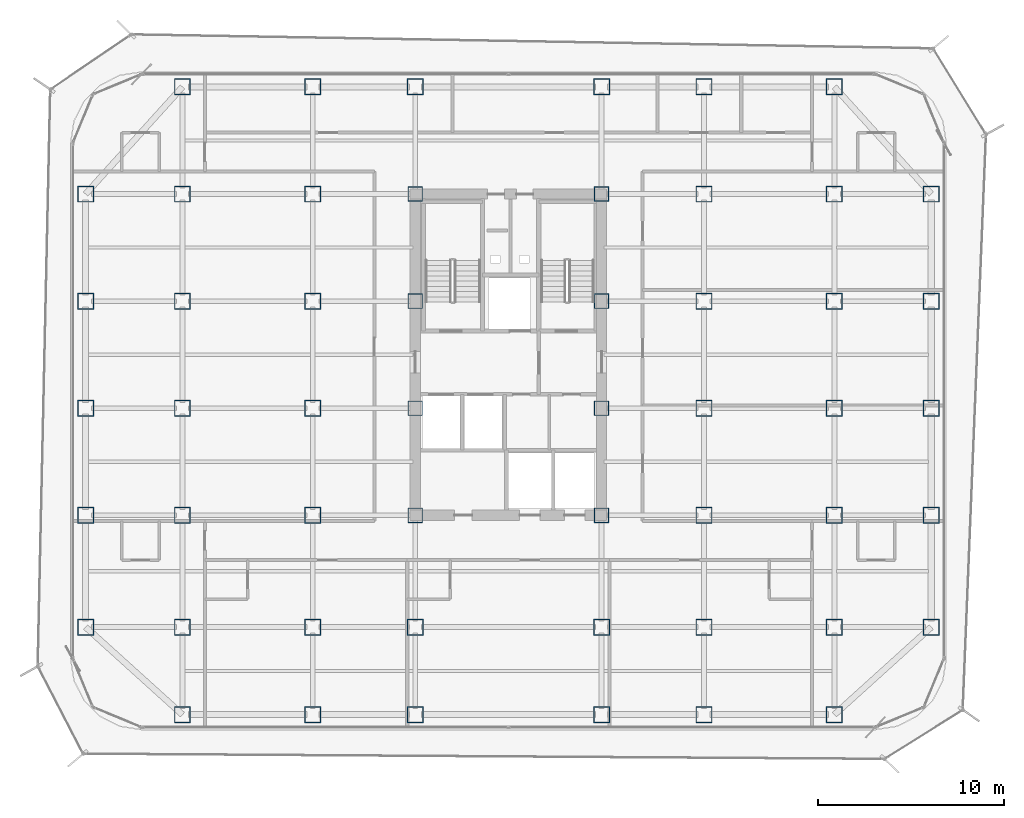
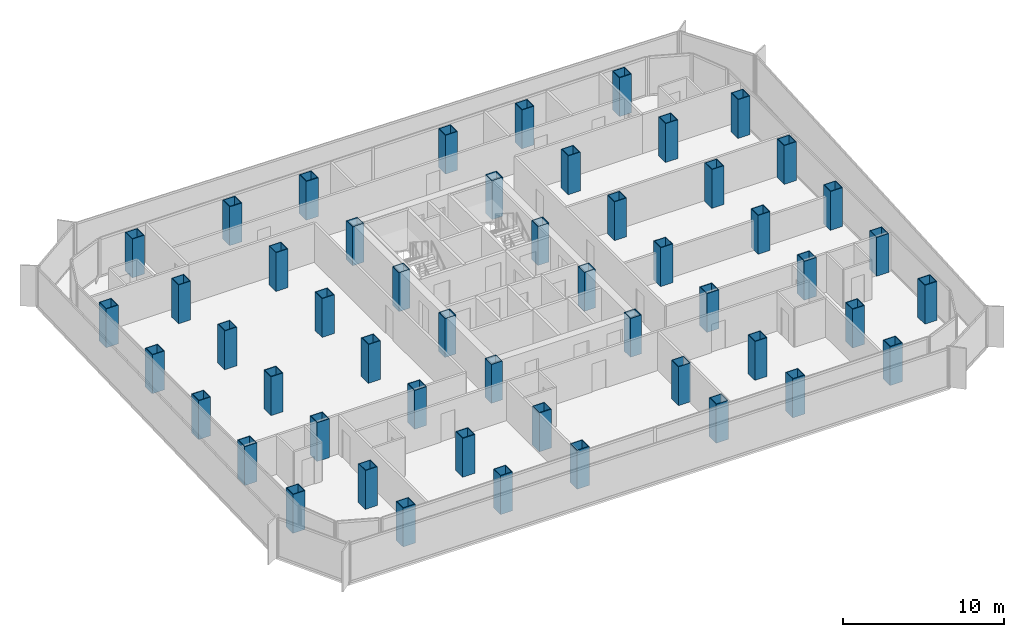
# One storey, part 1 of 21: 52 columns.
"""IFC4 building model written with IfcOpenShell, lengths in metres."""

from ifc_helpers import new_model, si_unit, direction, frame, origin, origin_2d, place, context, subcontext, project, spatial, hollow_rectangle, extrude, source, transform, mapped, material, material_profile, profile_set, type_object, element, save


model = new_model("IFC4")

# Units and contexts
model_context = context("Model", 3, precision=1e-05, world=origin(), true_north=direction((0.0, 1.0)))
body_context = subcontext(model_context, "Body", "Model", "MODEL_VIEW")
ifc_project = project(units=[si_unit("LENGTHUNIT", "METRE"), si_unit("AREAUNIT", "SQUARE_METRE"), si_unit("VOLUMEUNIT", "CUBIC_METRE"), si_unit("PLANEANGLEUNIT", "RADIAN"), si_unit("MASSUNIT", "GRAM", prefix="KILO")], contexts=[model_context])

# Site, building, storey
site_placement = place(None, origin())
site = spatial("IfcSite", under=ifc_project, at=site_placement, CompositionType="ELEMENT")
building_placement = place(site_placement, origin())
building = spatial("IfcBuilding", under=site, at=building_placement, Name="Kolveth Station Tower", CompositionType="ELEMENT")
storey_placement = place(building_placement, frame((0.0, 0.0, 121.5)))
storey = spatial("IfcBuildingStorey", under=building, at=storey_placement, Name="L33", CompositionType="ELEMENT", Elevation=121.5)

# Columns
ifc_material_1 = material(Name="Steel S460", Category="steel")
ifc_material_profile_1 = material_profile(ifc_material_1, hollow_rectangle(XDim=0.8798828125, YDim=0.8798828125, WallThickness=0.050048828125, at=origin_2d()), Name="BOX880x880x50")
ifc_profile_set_1 = profile_set([ifc_material_profile_1], Name="Steel S460")
column_type_1 = type_object("IfcColumnType", Name="Col_C4", PredefinedType="COLUMN", material=ifc_profile_set_1)
shared_shape_1 = source(origin(), body_context, "Body", "SweptSolid", [
    extrude(hollow_rectangle(XDim=0.8798828125, YDim=0.8798828125, WallThickness=0.050048828125, at=origin_2d()), origin(), (0.0, 0.0, 1.0), 2.949951171875),
])
for number, where, z_axis, x_axis, name in (
    (1, (6.0, 0.800048828125, 0.0), (0.0, 0.0, 1.0), (1.0, 0.0, 0.0), "L33 Tower Column S-X60"),
    (2, (6.0, 34.5, 0.0), (0.0, 0.0, 1.0), (1.0, 0.0, 0.0), "L33 Tower Column N-X60"),
    (3, (13.0, 0.800048828125, 0.0), (0.0, 0.0, 1.0), (1.0, 0.0, 0.0), "L33 Tower Column S-X130"),
    (4, (13.0, 34.5, 0.0), (0.0, 0.0, 1.0), (1.0, 0.0, 0.0), "L33 Tower Column N-X130"),
    (5, (18.5, 0.800048828125, 0.0), (0.0, 0.0, 1.0), (1.0, 0.0, 0.0), "L33 Tower Column S-X185"),
    (6, (18.5, 34.5, 0.0), (0.0, 0.0, 1.0), (1.0, 0.0, 0.0), "L33 Tower Column N-X185"),
    (7, (28.5, 0.800048828125, 0.0), (0.0, 0.0, 1.0), (1.0, 0.0, 0.0), "L33 Tower Column S-X285"),
    (8, (28.5, 34.5, 0.0), (0.0, 0.0, 1.0), (1.0, 0.0, 0.0), "L33 Tower Column N-X285"),
    (9, (34.0, 0.800048828125, 0.0), (0.0, 0.0, 1.0), (1.0, 0.0, 0.0), "L33 Tower Column S-X340"),
    (10, (34.0, 34.5, 0.0), (0.0, 0.0, 1.0), (1.0, 0.0, 0.0), "L33 Tower Column N-X340"),
    (11, (41.0, 0.800048828125, 0.0), (0.0, 0.0, 1.0), (1.0, 0.0, 0.0), "L33 Tower Column S-X410"),
    (12, (41.0, 34.5, 0.0), (0.0, 0.0, 1.0), (1.0, 0.0, 0.0), "L33 Tower Column N-X410"),
    (13, (0.800048828125, 5.5, 0.0), (0.0, 0.0, 1.0), (1.0, 0.0, 0.0), "L33 Tower Column W-Y55"),
    (14, (46.199951171875, 5.5, 0.0), (0.0, 0.0, 1.0), (1.0, 0.0, 0.0), "L33 Tower Column E-Y55"),
    (15, (0.800048828125, 11.5, 0.0), (0.0, 0.0, 1.0), (1.0, 0.0, 0.0), "L33 Tower Column W-Y115"),
    (16, (46.199951171875, 11.5, 0.0), (0.0, 0.0, 1.0), (1.0, 0.0, 0.0), "L33 Tower Column E-Y115"),
    (17, (0.800048828125, 17.25, 0.0), (0.0, 0.0, 1.0), (1.0, 0.0, 0.0), "L33 Tower Column W-Y172"),
    (18, (46.199951171875, 17.25, 0.0), (0.0, 0.0, 1.0), (1.0, 0.0, 0.0), "L33 Tower Column E-Y172"),
    (19, (0.800048828125, 23.0, 0.0), (0.0, 0.0, 1.0), (1.0, 0.0, 0.0), "L33 Tower Column W-Y230"),
    (20, (46.199951171875, 23.0, 0.0), (0.0, 0.0, 1.0), (1.0, 0.0, 0.0), "L33 Tower Column E-Y230"),
    (21, (0.800048828125, 28.75, 0.0), (0.0, 0.0, 1.0), (1.0, 0.0, 0.0), "L33 Tower Column W-Y287"),
    (22, (46.199951171875, 28.75, 0.0), (0.0, 0.0, 1.0), (1.0, 0.0, 0.0), "L33 Tower Column E-Y287"),
    (23, (6.0, 5.5, 0.0), (0.0, 0.0, 1.0), (1.0, 0.0, 0.0), "L33 Tower Column G-60-55"),
    (24, (6.0, 11.5, 0.0), (0.0, 0.0, 1.0), (1.0, 0.0, 0.0), "L33 Tower Column G-60-115"),
    (25, (6.0, 17.25, 0.0), (0.0, 0.0, 1.0), (1.0, 0.0, 0.0), "L33 Tower Column G-60-172"),
    (26, (6.0, 23.0, 0.0), (0.0, 0.0, 1.0), (1.0, 0.0, 0.0), "L33 Tower Column G-60-230"),
    (27, (6.0, 28.75, 0.0), (0.0, 0.0, 1.0), (1.0, 0.0, 0.0), "L33 Tower Column G-60-287"),
    (28, (13.0, 5.5, 0.0), (0.0, 0.0, 1.0), (1.0, 0.0, 0.0), "L33 Tower Column G-130-55"),
    (29, (13.0, 11.5, 0.0), (0.0, 0.0, 1.0), (1.0, 0.0, 0.0), "L33 Tower Column G-130-115"),
    (30, (13.0, 17.25, 0.0), (0.0, 0.0, 1.0), (1.0, 0.0, 0.0), "L33 Tower Column G-130-172"),
    (31, (13.0, 23.0, 0.0), (0.0, 0.0, 1.0), (1.0, 0.0, 0.0), "L33 Tower Column G-130-230"),
    (32, (13.0, 28.75, 0.0), (0.0, 0.0, 1.0), (1.0, 0.0, 0.0), "L33 Tower Column G-130-287"),
    (33, (18.5, 5.5, 0.0), (0.0, 0.0, 1.0), (1.0, 0.0, 0.0), "L33 Tower Column G-185-55"),
    (34, (28.5, 5.5, 0.0), (0.0, 0.0, 1.0), (1.0, 0.0, 0.0), "L33 Tower Column G-285-55"),
    (35, (34.0, 5.5, 0.0), (0.0, 0.0, 1.0), (1.0, 0.0, 0.0), "L33 Tower Column G-340-55"),
    (36, (34.0, 11.5, 0.0), (0.0, 0.0, 1.0), (1.0, 0.0, 0.0), "L33 Tower Column G-340-115"),
    (37, (34.0, 17.25, 0.0), (0.0, 0.0, 1.0), (1.0, 0.0, 0.0), "L33 Tower Column G-340-172"),
    (38, (34.0, 23.0, 0.0), (0.0, 0.0, 1.0), (1.0, 0.0, 0.0), "L33 Tower Column G-340-230"),
    (39, (34.0, 28.75, 0.0), (0.0, 0.0, 1.0), (1.0, 0.0, 0.0), "L33 Tower Column G-340-287"),
    (40, (41.0, 5.5, 0.0), (0.0, 0.0, 1.0), (1.0, 0.0, 0.0), "L33 Tower Column G-410-55"),
    (41, (41.0, 11.5, 0.0), (0.0, 0.0, 1.0), (1.0, 0.0, 0.0), "L33 Tower Column G-410-115"),
    (42, (41.0, 17.25, 0.0), (0.0, 0.0, 1.0), (1.0, 0.0, 0.0), "L33 Tower Column G-410-172"),
    (43, (41.0, 23.0, 0.0), (0.0, 0.0, 1.0), (1.0, 0.0, 0.0), "L33 Tower Column G-410-230"),
    (44, (41.0, 28.75, 0.0), (0.0, 0.0, 1.0), (1.0, 0.0, 0.0), "L33 Tower Column G-410-287"),
):
    element("IfcColumn", number, at=place(storey_placement, frame(where, z_axis=z_axis, x_axis=x_axis)), inside=storey, type_object=column_type_1, Name=name, PredefinedType="COLUMN", context=body_context, shape_type="MappedRepresentation", body=[
        mapped(shared_shape_1, transform((0.0, 0.0, 0.0), x_axis=(1.0, 0.0, 0.0), y_axis=(0.0, 1.0, 0.0), z_axis=(0.0, 0.0, 1.0), scale=1.0)),
    ])
ifc_material_2 = material(Name="Steel S355", Category="steel")
ifc_material_profile_2 = material_profile(ifc_material_2, hollow_rectangle(XDim=0.800048828125, YDim=0.800048828125, WallThickness=0.044921875, at=origin_2d()), Name="BOX800x800x45")
ifc_profile_set_2 = profile_set([ifc_material_profile_2], Name="Steel S355")
column_type_2 = type_object("IfcColumnType", Name="Col_C5", PredefinedType="COLUMN", material=ifc_profile_set_2)
shared_shape_2 = source(origin(), body_context, "Body", "SweptSolid", [
    extrude(hollow_rectangle(XDim=0.800048828125, YDim=0.800048828125, WallThickness=0.044921875, at=origin_2d()), origin(), (0.0, 0.0, 1.0), 2.949951171875),
])
for number, where, z_axis, x_axis, name in (
    (45, (18.5, 11.5, 0.0), (0.0, 0.0, 1.0), (1.0, 0.0, 0.0), "L33 Tower Column G-185-115"),
    (46, (18.5, 17.25, 0.0), (0.0, 0.0, 1.0), (1.0, 0.0, 0.0), "L33 Tower Column G-185-172"),
    (47, (18.5, 23.0, 0.0), (0.0, 0.0, 1.0), (1.0, 0.0, 0.0), "L33 Tower Column G-185-230"),
    (48, (18.5, 28.75, 0.0), (0.0, 0.0, 1.0), (1.0, 0.0, 0.0), "L33 Tower Column G-185-287"),
    (49, (28.5, 11.5, 0.0), (0.0, 0.0, 1.0), (1.0, 0.0, 0.0), "L33 Tower Column G-285-115"),
    (50, (28.5, 17.25, 0.0), (0.0, 0.0, 1.0), (1.0, 0.0, 0.0), "L33 Tower Column G-285-172"),
    (51, (28.5, 23.0, 0.0), (0.0, 0.0, 1.0), (1.0, 0.0, 0.0), "L33 Tower Column G-285-230"),
    (52, (28.5, 28.75, 0.0), (0.0, 0.0, 1.0), (1.0, 0.0, 0.0), "L33 Tower Column G-285-287"),
):
    element("IfcColumn", number, at=place(storey_placement, frame(where, z_axis=z_axis, x_axis=x_axis)), inside=storey, type_object=column_type_2, Name=name, PredefinedType="COLUMN", context=body_context, shape_type="MappedRepresentation", body=[
        mapped(shared_shape_2, transform((0.0, 0.0, 0.0), x_axis=(1.0, 0.0, 0.0), y_axis=(0.0, 1.0, 0.0), z_axis=(0.0, 0.0, 1.0), scale=1.0)),
    ])

save(model, "model.ifc")
